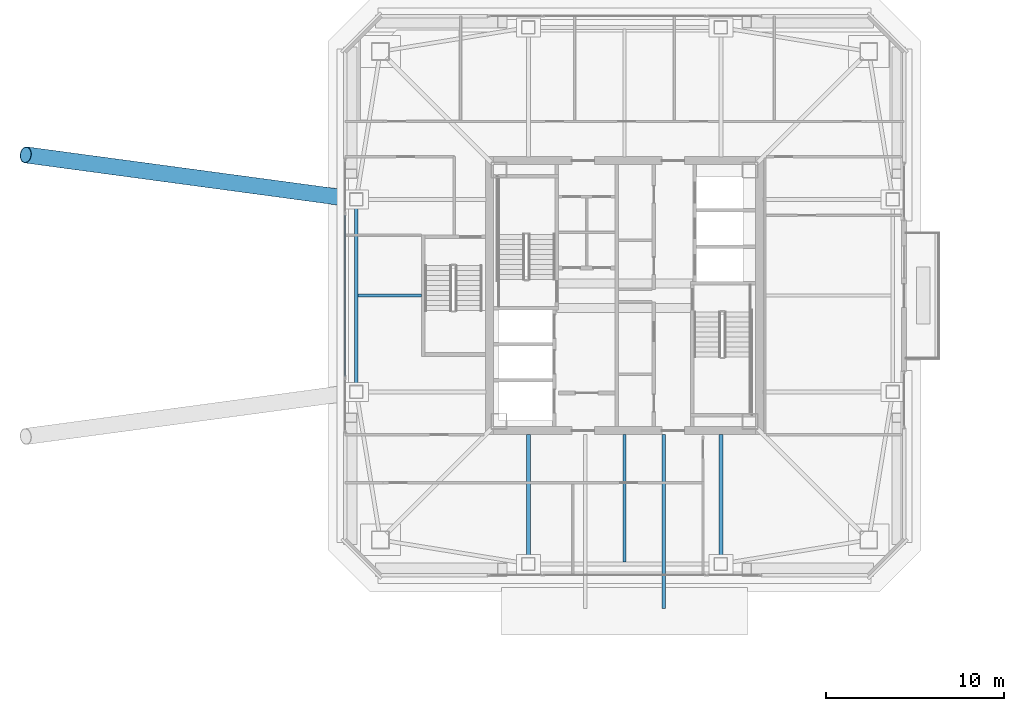
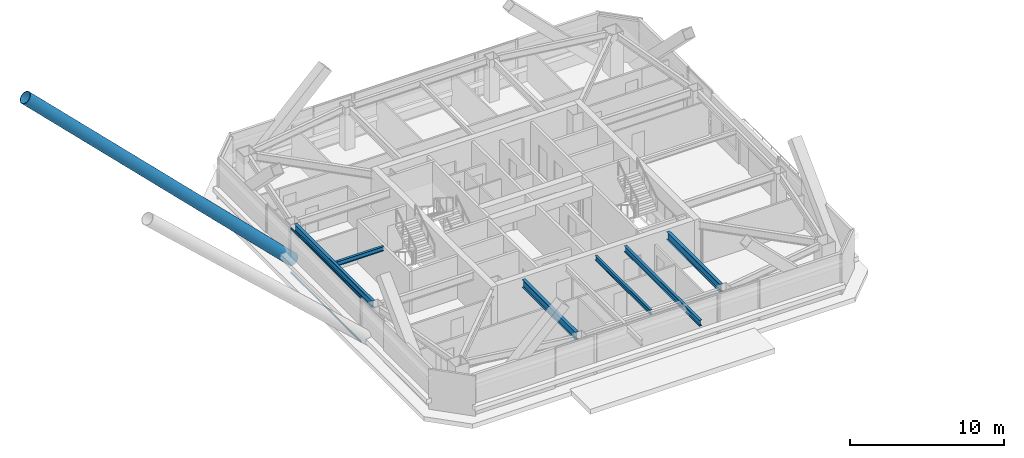
# One storey, part 7 of 39: 6 beams, 3 members, 1 element without a shape of its own.
"""IFC4 building model written with IfcOpenShell, lengths in metres."""

from ifc_helpers import new_model, si_unit, direction, frame, origin, origin_2d, place, context, subcontext, project, spatial, hollow_rectangle, hollow_circle, i_section, extrude, material, material_profile, profile_set, type_object, element, aggregate, save


model = new_model("IFC4")

# Units and contexts
model_context = context("Model", 3, precision=1e-05, world=origin(), true_north=direction((0.0, 1.0)))
body_context = subcontext(model_context, "Body", "Model", "MODEL_VIEW")
ifc_project = project(units=[si_unit("LENGTHUNIT", "METRE"), si_unit("AREAUNIT", "SQUARE_METRE"), si_unit("VOLUMEUNIT", "CUBIC_METRE"), si_unit("PLANEANGLEUNIT", "RADIAN"), si_unit("MASSUNIT", "GRAM", prefix="KILO")], contexts=[model_context])

# Site, building, storey
site_placement = place(None, origin())
site = spatial("IfcSite", under=ifc_project, at=site_placement, CompositionType="ELEMENT")
building_placement = place(site_placement, origin())
building = spatial("IfcBuilding", under=site, at=building_placement, Name="Tashvorn Skyway Center", CompositionType="ELEMENT")
storey_placement = place(building_placement, frame((0.0, 0.0, 232.60009765625)))
storey = spatial("IfcBuildingStorey", under=building, at=storey_placement, Name="L63", CompositionType="ELEMENT", Elevation=232.60009765625)

# Beams
ifc_material_1 = material(Name="Steel ASTM A992 Grade 50", Category="steel")
ifc_material_profile_1 = material_profile(ifc_material_1, i_section(OverallWidth=0.22998046875, OverallDepth=0.616943359375, WebThickness=0.01318359375, FlangeThickness=0.022216796875, at=origin_2d()), Name="W24X94")
ifc_profile_set_1 = profile_set([ifc_material_profile_1], Name="Steel ASTM A992 Grade 50")
beam_type_1 = type_object("IfcBeamType", Name="BM-BEAM-W24X94", PredefinedType="BEAM", material=ifc_profile_set_1)
for number, where, z_axis, x_axis, name in (
    (1, (36.60009765625, 17.320068359375, 3.0615234375), (0.0, 1.0, 0.0), (-1.0, 0.0, 0.0), "Tower 1 L63 Primary Floor Girder FC-S1"),
    (2, (47.39990234375, 17.320068359375, 3.0615234375), (0.0, 1.0, 0.0), (-1.0, 0.0, 0.0), "Tower 1 L63 Primary Floor Girder FC-S2"),
):
    element("IfcBeam", number, at=place(storey_placement, frame(where, z_axis=z_axis, x_axis=x_axis)), inside=storey, type_object=beam_type_1, Name=name, PredefinedType="BEAM", context=body_context, shape_type="SweptSolid", body=[
        extrude(i_section(OverallWidth=0.22998046875, OverallDepth=0.616943359375, WebThickness=0.01318359375, FlangeThickness=0.022216796875, at=origin_2d()), origin(), (0.0, 0.0, 1.0), 6.89990234375),
    ])
ifc_material_profile_2 = material_profile(ifc_material_1, i_section(OverallWidth=0.1708984375, OverallDepth=0.35498046875, WebThickness=0.007080078125, FlangeThickness=0.01171875, at=origin_2d()), Name="W14X34")
ifc_profile_set_2 = profile_set([ifc_material_profile_2], Name="Steel ASTM A992 Grade 50")
beam_type_2 = type_object("IfcBeamType", Name="BM-JOIST-W14X34", PredefinedType="JOIST", material=ifc_profile_set_2)
beam_1_placement = place(storey_placement, frame((42.0, 24.2099609375, 3.1923828125), z_axis=(0.0, -1.0, 0.0), x_axis=(1.0, 0.0, 0.0)))
element("IfcBeam", 3, at=beam_1_placement, inside=storey, type_object=beam_type_2, Name="Tower 1 L63 Secondary Composite Joist JS", PredefinedType="JOIST", context=body_context, shape_type="SweptSolid", body=[
    extrude(i_section(OverallWidth=0.1708984375, OverallDepth=0.35498046875, WebThickness=0.007080078125, FlangeThickness=0.01171875, at=origin_2d()), origin(), (0.0, 0.0, 1.0), 7.162353515625),
])
beam_2_placement = place(storey_placement, frame((30.610107421875, 32.0, 3.1923828125), z_axis=(-1.0, 0.0, 0.0), x_axis=(0.0, -1.0, 0.0)))
element("IfcBeam", 4, at=beam_2_placement, inside=storey, type_object=beam_type_2, Name="Tower 1 L63 Secondary Composite Joist JW", PredefinedType="JOIST", context=body_context, shape_type="SweptSolid", body=[
    extrude(i_section(OverallWidth=0.1708984375, OverallDepth=0.35498046875, WebThickness=0.007080078125, FlangeThickness=0.01171875, at=origin_2d()), origin(), (0.0, 0.0, 1.0), 3.5625),
])
ifc_material_profile_3 = material_profile(ifc_material_1, i_section(OverallWidth=0.19091796875, OverallDepth=0.4599609375, WebThickness=0.010009765625, FlangeThickness=0.01611328125, at=origin_2d()), Name="W18X55")
ifc_profile_set_3 = profile_set([ifc_material_profile_3], Name="Steel ASTM A992 Grade 50")
beam_type_3 = type_object("IfcBeamType", Name="BM-JOIST-W18X55", PredefinedType="JOIST", material=ifc_profile_set_3)
beam_3_placement = place(storey_placement, frame((44.199951171875, 24.219970703125, 3.139892578125), z_axis=(0.0, -1.0, 0.0), x_axis=(1.0, 0.0, 0.0)))
element("IfcBeam", 5, at=beam_3_placement, inside=storey, type_object=beam_type_3, Name="Tower 1 L64 Terrace Cantilever Outlooker 2", PredefinedType="JOIST", context=body_context, shape_type="SweptSolid", body=[
    extrude(i_section(OverallWidth=0.19091796875, OverallDepth=0.4599609375, WebThickness=0.010009765625, FlangeThickness=0.01611328125, at=origin_2d()), origin(), (0.0, 0.0, 1.0), 9.77001953125),
])
ifc_material_profile_4 = material_profile(ifc_material_1, i_section(OverallWidth=0.2109375, OverallDepth=0.5390625, WebThickness=0.01171875, FlangeThickness=0.018798828125, at=origin_2d()), Name="W21X73")
ifc_profile_set_4 = profile_set([ifc_material_profile_4], Name="Steel ASTM A992 Grade 50")
beam_type_4 = type_object("IfcBeamType", Name="BM-SPANDREL-W21X73", PredefinedType="SPANDREL", material=ifc_profile_set_4)
beam_4_placement = place(storey_placement, frame((26.949951171875, 37.030029296875, 3.100341796875), z_axis=(0.0, -1.0, 0.0), x_axis=(1.0, 0.0, 0.0)))
element("IfcBeam", 6, at=beam_4_placement, inside=storey, type_object=beam_type_4, Name="Tower 1 L63 Spandrel Beam 11", PredefinedType="SPANDREL", context=body_context, shape_type="SweptSolid", body=[
    extrude(i_section(OverallWidth=0.2109375, OverallDepth=0.5390625, WebThickness=0.01171875, FlangeThickness=0.018798828125, at=origin_2d()), origin(), (0.0, 0.0, 1.0), 10.06005859375),
])

# Curtain wall, members
ifc_material_2 = material(Name="Thermally broken bronze-anodized aluminium 6063-T6", Category="aluminium")
curtain_wall_type = type_object("IfcCurtainWallType", Name="CW-CW-Z5", PredefinedType="NOTDEFINED", material=ifc_material_2)
curtain_wall_placement = place(storey_placement, origin())
curtain_wall = element("IfcCurtainWall", 7, at=curtain_wall_placement, inside=storey, type_object=curtain_wall_type, Name="Tower 1 L63 West Unitised Curtain Wall Glazing Group 2", PredefinedType="NOTDEFINED")
ifc_material_profile_5 = material_profile(ifc_material_2, hollow_rectangle(XDim=0.070068359375, YDim=0.114990234375, WallThickness=0.00390625, at=origin_2d()), Name="ALU-TRAN-70x115")
ifc_profile_set_5 = profile_set([ifc_material_profile_5], Name="Thermally broken bronze-anodized aluminium 6063-T6")
member_type_1 = type_object("IfcMemberType", Name="CWT-CW-Z5", PredefinedType="USERDEFINED", material=ifc_profile_set_5)
member_1_placement = place(storey_placement, frame((26.320068359375, 27.476806640625, 0.034912109375), z_axis=(0.0, 1.0, 0.0), x_axis=(-1.0, 0.0, 0.0)))
member_1 = element("IfcMember", 8, at=member_1_placement, type_object=member_type_1, Name="CW-Z5 transom 1.1", ObjectType="TRANSOM", PredefinedType="USERDEFINED", context=body_context, shape_type="SweptSolid", body=[
    extrude(hollow_rectangle(XDim=0.070068359375, YDim=0.114990234375, WallThickness=0.00390625, at=origin_2d()), origin(), (0.0, 0.0, 1.0), 9.04638671875),
])
member_2_placement = place(storey_placement, frame((26.320068359375, 27.476806640625, 3.514892578125), z_axis=(0.0, 1.0, 0.0), x_axis=(-1.0, 0.0, 0.0)))
member_2 = element("IfcMember", 9, at=member_2_placement, type_object=member_type_1, Name="CW-Z5 transom 1.2", ObjectType="TRANSOM", PredefinedType="USERDEFINED", context=body_context, shape_type="SweptSolid", body=[
    extrude(hollow_rectangle(XDim=0.070068359375, YDim=0.114990234375, WallThickness=0.00390625, at=origin_2d()), origin(), (0.0, 0.0, 1.0), 9.04638671875),
])
aggregate(curtain_wall, [member_1, member_2])

# Member
ifc_material_3 = material(Name="Steel ASTM A572 Grade 50", Category="steel")
ifc_material_profile_6 = material_profile(ifc_material_3, hollow_circle(Radius=0.45703125, WallThickness=0.031982421875, at=origin_2d()), Name="CHS914x32")
ifc_profile_set_6 = profile_set([ifc_material_profile_6], Name="Steel ASTM A572 Grade 50")
member_type_2 = type_object("IfcMemberType", Name="MEM-MS-914", PredefinedType="STRUT", material=ifc_profile_set_6)
member_3_placement = place(storey_placement, frame((26.949951171875, 37.39990234375, 0.2998046875), z_axis=(-0.718641844934, 0.096851745728, 0.688602670674), x_axis=(-0.133563033882, -0.991040320058, 0.0)))
element("IfcMember", 10, at=member_3_placement, inside=storey, type_object=member_type_2, Name="Sky-Park West Secondary Stabilizer Strut 2", PredefinedType="STRUT", context=body_context, shape_type="SweptSolid", body=[
    extrude(hollow_circle(Radius=0.45703125, WallThickness=0.031982421875, at=origin_2d()), origin(), (0.0, 0.0, 1.0), 25.812744140625),
])

save(model, "model.ifc")
